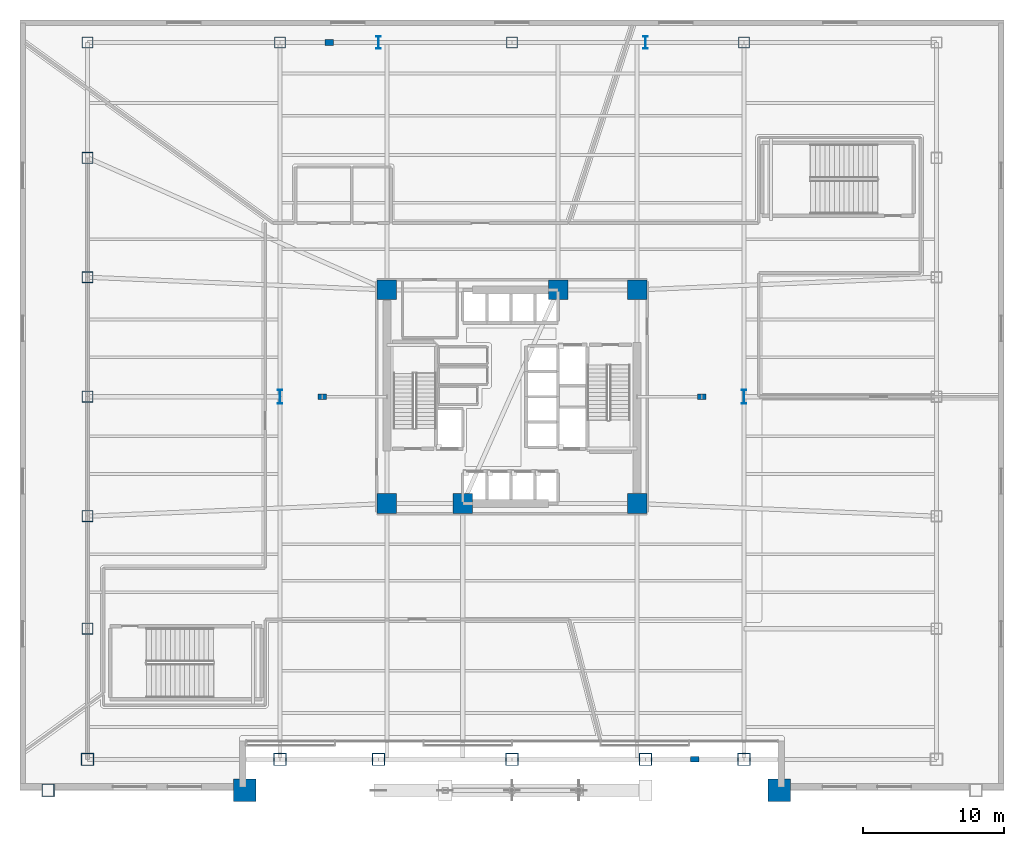
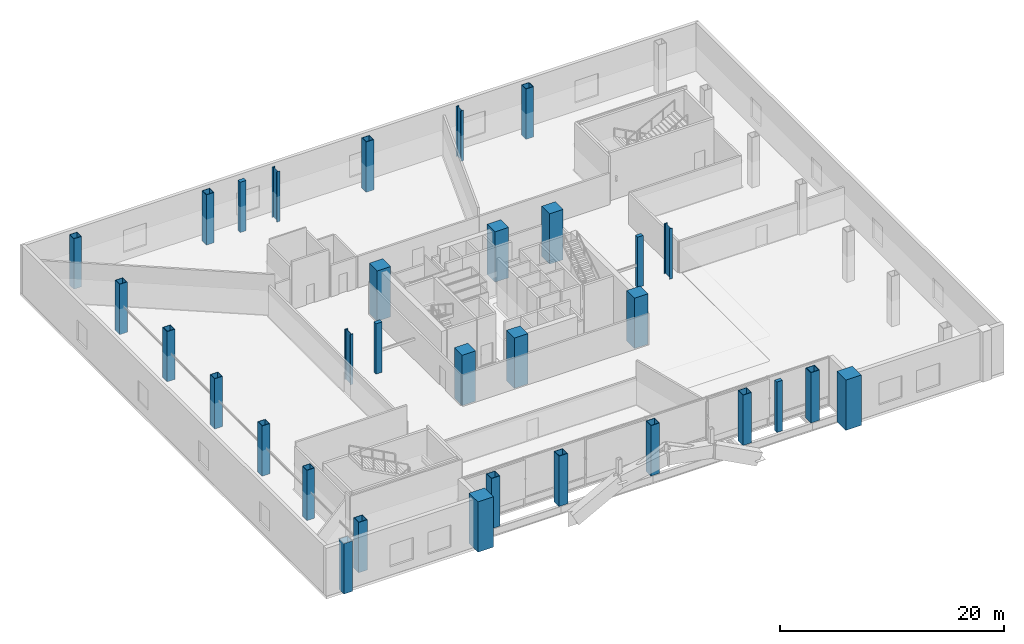
# One storey, part 1 of 19: 32 columns.
"""IFC4 building model written with IfcOpenShell, lengths in metres."""

from ifc_helpers import new_model, si_unit, direction, frame, origin, origin_2d, place, context, subcontext, project, spatial, rectangle, hollow_rectangle, i_section, extrude, material, material_profile, profile_set, type_object, element, save


model = new_model("IFC4")

# Units and contexts
model_context = context("Model", 3, precision=1e-05, world=origin(), true_north=direction((0.0, 1.0)))
body_context = subcontext(model_context, "Body", "Model", "MODEL_VIEW")
ifc_project = project(units=[si_unit("LENGTHUNIT", "METRE"), si_unit("AREAUNIT", "SQUARE_METRE"), si_unit("VOLUMEUNIT", "CUBIC_METRE"), si_unit("PLANEANGLEUNIT", "RADIAN"), si_unit("MASSUNIT", "GRAM", prefix="KILO")], contexts=[model_context])

# Site, building, storey
site_placement = place(None, origin())
site = spatial("IfcSite", under=ifc_project, at=site_placement, CompositionType="ELEMENT")
building_placement = place(site_placement, origin())
building = spatial("IfcBuilding", under=site, at=building_placement, Name="Tharavind Bronze Gate", CompositionType="ELEMENT")
storey_placement = place(building_placement, frame((0.0, 0.0, 11.0)))
storey = spatial("IfcBuildingStorey", under=building, at=storey_placement, Name="L02", CompositionType="ELEMENT", Elevation=11.0)

# Columns
ifc_material_1 = material(Name="Concrete C70/85", Category="concrete")
ifc_material_profile_1 = material_profile(ifc_material_1, rectangle(XDim=1.39990234375, YDim=1.39990234375, at=origin_2d()), Name="RCCOL1400")
ifc_profile_set_1 = profile_set([ifc_material_profile_1], Name="Concrete C70/85")
column_type_1 = type_object("IfcColumnType", Name="MEGA CORE COLUMN 1400", PredefinedType="COLUMN", material=ifc_profile_set_1)
for number, where, z_axis, x_axis, name in (
    (1, (-8.89990234375, -7.60009765625, 0.0), (0.0, 0.0, 1.0), (1.0, 0.0, 0.0), "L02 core mega column MC1"),
    (2, (-3.5, -7.60009765625, 0.0), (0.0, 0.0, 1.0), (1.0, 0.0, 0.0), "L02 core mega column MC2"),
    (3, (8.89990234375, -7.60009765625, 0.0), (0.0, 0.0, 1.0), (1.0, 0.0, 0.0), "L02 core mega column MC3"),
    (4, (8.89990234375, 7.60009765625, 0.0), (0.0, 0.0, 1.0), (1.0, 0.0, 0.0), "L02 core mega column MC4"),
    (5, (3.280029296875, 7.60009765625, 0.0), (0.0, 0.0, 1.0), (1.0, 0.0, 0.0), "L02 core mega column MC5"),
    (6, (-8.89990234375, 7.60009765625, 0.0), (0.0, 0.0, 1.0), (1.0, 0.0, 0.0), "L02 core mega column MC6"),
):
    element("IfcColumn", number, at=place(storey_placement, frame(where, z_axis=z_axis, x_axis=x_axis)), inside=storey, type_object=column_type_1, Name=name, PredefinedType="COLUMN", context=body_context, shape_type="SweptSolid", body=[
        extrude(rectangle(XDim=1.39990234375, YDim=1.39990234375, at=origin_2d()), origin(), (0.0, 0.0, 1.0), 5.5),
    ])
ifc_material_profile_2 = material_profile(ifc_material_1, rectangle(XDim=1.60009765625, YDim=1.60009765625, at=origin_2d()), Name="RCCOL1600")
ifc_profile_set_2 = profile_set([ifc_material_profile_2], Name="Concrete C70/85")
column_type_2 = type_object("IfcColumnType", Name="MEGA CORE COLUMN 1600", PredefinedType="COLUMN", material=ifc_profile_set_2)
for number, where, z_axis, x_axis, name in (
    (7, (-19.0, -28.0, 0.0), (0.0, 0.0, 1.0), (1.0, 0.0, 0.0), "L02 podium column ARCHW"),
    (8, (19.0, -28.0, 0.0), (0.0, 0.0, 1.0), (1.0, 0.0, 0.0), "L02 podium column ARCHE"),
):
    element("IfcColumn", number, at=place(storey_placement, frame(where, z_axis=z_axis, x_axis=x_axis)), inside=storey, type_object=column_type_2, Name=name, PredefinedType="COLUMN", context=body_context, shape_type="SweptSolid", body=[
        extrude(rectangle(XDim=1.60009765625, YDim=1.60009765625, at=origin_2d()), origin(), (0.0, 0.0, 1.0), 5.5),
    ])
ifc_material_2 = material(Name="Steel S460", Category="steel")
ifc_material_profile_3 = material_profile(ifc_material_2, hollow_rectangle(XDim=0.800048828125, YDim=0.800048828125, WallThickness=0.044921875, at=origin_2d()), Name="SHS800X45")
ifc_profile_set_3 = profile_set([ifc_material_profile_3], Name="Steel S460")
column_type_3 = type_object("IfcColumnType", Name="PERIMETER BOX COLUMN SHS800", PredefinedType="COLUMN", material=ifc_profile_set_3)
for number, where, z_axis, x_axis, name in (
    (9, (-30.199951171875, 25.199951171875, 0.0), (0.0, 0.0, 1.0), (1.0, 0.0, 0.0), "L02 podium column PN10"),
    (10, (-16.5, 25.199951171875, 0.0), (0.0, 0.0, 1.0), (1.0, 0.0, 0.0), "L02 podium column PN24"),
    (11, (0.0, 25.199951171875, 0.0), (0.0, 0.0, 1.0), (1.0, 0.0, 0.0), "L02 podium column PN40"),
    (12, (16.5, 25.199951171875, 0.0), (0.0, 0.0, 1.0), (1.0, 0.0, 0.0), "L02 podium column PN56"),
    (13, (-30.199951171875, -16.5, 0.0), (0.0, 0.0, 1.0), (1.0, 0.0, 0.0), "L02 podium column PW14"),
    (14, (-30.199951171875, -8.5, 0.0), (0.0, 0.0, 1.0), (1.0, 0.0, 0.0), "L02 podium column PW22"),
    (15, (-30.199951171875, 0.0, 0.0), (0.0, 0.0, 1.0), (1.0, 0.0, 0.0), "L02 podium column PW30"),
    (16, (-30.199951171875, 8.5, 0.0), (0.0, 0.0, 1.0), (1.0, 0.0, 0.0), "L02 podium column PW38"),
    (17, (-30.199951171875, 17.0, 0.0), (0.0, 0.0, 1.0), (1.0, 0.0, 0.0), "L02 podium column PW47"),
):
    element("IfcColumn", number, at=place(storey_placement, frame(where, z_axis=z_axis, x_axis=x_axis)), inside=storey, type_object=column_type_3, Name=name, PredefinedType="COLUMN", context=body_context, shape_type="SweptSolid", body=[
        extrude(hollow_rectangle(XDim=0.800048828125, YDim=0.800048828125, WallThickness=0.044921875, at=origin_2d()), origin(), (0.0, 0.0, 1.0), 5.5),
    ])
ifc_material_profile_4 = material_profile(ifc_material_2, hollow_rectangle(XDim=0.89990234375, YDim=0.89990234375, WallThickness=0.050048828125, at=origin_2d()), Name="SHS900X50")
ifc_profile_set_4 = profile_set([ifc_material_profile_4], Name="Steel S460")
column_type_4 = type_object("IfcColumnType", Name="PERIMETER BOX COLUMN SHS900", PredefinedType="COLUMN", material=ifc_profile_set_4)
for number, where, z_axis, x_axis, name in (
    (18, (-30.199951171875, -25.800048828125, 0.0), (0.0, 0.0, 1.0), (1.0, 0.0, 0.0), "L02 podium column PS10"),
    (19, (-16.5, -25.800048828125, 0.0), (0.0, 0.0, 1.0), (1.0, 0.0, 0.0), "L02 podium column PS24"),
    (20, (-9.5, -25.800048828125, 0.0), (0.0, 0.0, 1.0), (1.0, 0.0, 0.0), "L02 podium column PS30"),
    (21, (0.0, -25.800048828125, 0.0), (0.0, 0.0, 1.0), (1.0, 0.0, 0.0), "L02 podium column PS40"),
    (22, (9.5, -25.800048828125, 0.0), (0.0, 0.0, 1.0), (1.0, 0.0, 0.0), "L02 podium column PS50"),
    (23, (16.5, -25.800048828125, 0.0), (0.0, 0.0, 1.0), (1.0, 0.0, 0.0), "L02 podium column PS56"),
    (24, (-33.0, -28.0, 0.0), (0.0, 0.0, 1.0), (1.0, 0.0, 0.0), "L02 podium column CRNS1"),
):
    element("IfcColumn", number, at=place(storey_placement, frame(where, z_axis=z_axis, x_axis=x_axis)), inside=storey, type_object=column_type_4, Name=name, PredefinedType="COLUMN", context=body_context, shape_type="SweptSolid", body=[
        extrude(hollow_rectangle(XDim=0.89990234375, YDim=0.89990234375, WallThickness=0.050048828125, at=origin_2d()), origin(), (0.0, 0.0, 1.0), 5.5),
    ])
ifc_material_3 = material(Name="Concrete C60/75", Category="concrete")
ifc_material_profile_5 = material_profile(ifc_material_3, rectangle(XDim=0.60009765625, YDim=0.39990234375, at=origin_2d()), Name="RCPIL600X400")
ifc_profile_set_5 = profile_set([ifc_material_profile_5], Name="Concrete C60/75")
column_type_5 = type_object("IfcColumnType", Name="PILASTER COLUMN 600X400", PredefinedType="PILASTER", material=ifc_profile_set_5)
for number, where, z_axis, x_axis, name in (
    (25, (-13.5, 0.0, 0.0), (0.0, 0.0, 1.0), (1.0, 0.0, 0.0), "L02 structural pilaster PILW"),
    (26, (13.5, 0.0, 0.0), (0.0, 0.0, 1.0), (1.0, 0.0, 0.0), "L02 structural pilaster PILE"),
    (27, (-13.0, 25.199951171875, 0.0), (0.0, 0.0, 1.0), (1.0, 0.0, 0.0), "L02 structural pilaster PILN"),
    (28, (13.0, -25.800048828125, 0.0), (0.0, 0.0, 1.0), (1.0, 0.0, 0.0), "L02 structural pilaster PILS"),
):
    element("IfcColumn", number, at=place(storey_placement, frame(where, z_axis=z_axis, x_axis=x_axis)), inside=storey, type_object=column_type_5, Name=name, PredefinedType="PILASTER", context=body_context, shape_type="SweptSolid", body=[
        extrude(rectangle(XDim=0.60009765625, YDim=0.39990234375, at=origin_2d()), origin(), (0.0, 0.0, 1.0), 5.5),
    ])
ifc_material_profile_6 = material_profile(ifc_material_2, i_section(OverallWidth=0.302001953125, OverallDepth=1.008056640625, WebThickness=0.02099609375, FlangeThickness=0.0400390625, at=origin_2d()), Name="HE1000M")
ifc_profile_set_6 = profile_set([ifc_material_profile_6], Name="Steel S460")
column_type_6 = type_object("IfcColumnType", Name="PODIUM HALL COLUMN HE1000M", PredefinedType="COLUMN", material=ifc_profile_set_6)
for number, where, z_axis, x_axis, name in (
    (29, (-16.5, 0.0, 0.0), (0.0, 0.0, 1.0), (1.0, 0.0, 0.0), "L02 podium column PMW0"),
    (30, (16.5, 0.0, 0.0), (0.0, 0.0, 1.0), (1.0, 0.0, 0.0), "L02 podium column PME0"),
):
    element("IfcColumn", number, at=place(storey_placement, frame(where, z_axis=z_axis, x_axis=x_axis)), inside=storey, type_object=column_type_6, Name=name, PredefinedType="COLUMN", context=body_context, shape_type="SweptSolid", body=[
        extrude(i_section(OverallWidth=0.302001953125, OverallDepth=1.008056640625, WebThickness=0.02099609375, FlangeThickness=0.0400390625, at=origin_2d()), origin(), (0.0, 0.0, 1.0), 5.5),
    ])
ifc_material_profile_7 = material_profile(ifc_material_2, i_section(OverallWidth=0.300048828125, OverallDepth=0.89990234375, WebThickness=0.0185546875, FlangeThickness=0.034912109375, at=origin_2d()), Name="HE900B")
ifc_profile_set_7 = profile_set([ifc_material_profile_7], Name="Steel S460")
column_type_7 = type_object("IfcColumnType", Name="PODIUM HALL COLUMN HE900B", PredefinedType="COLUMN", material=ifc_profile_set_7)
for number, where, z_axis, x_axis, name in (
    (31, (-9.5, 25.199951171875, 0.0), (0.0, 0.0, 1.0), (1.0, 0.0, 0.0), "L02 podium column PN30"),
    (32, (9.5, 25.199951171875, 0.0), (0.0, 0.0, 1.0), (1.0, 0.0, 0.0), "L02 podium column PN50"),
):
    element("IfcColumn", number, at=place(storey_placement, frame(where, z_axis=z_axis, x_axis=x_axis)), inside=storey, type_object=column_type_7, Name=name, PredefinedType="COLUMN", context=body_context, shape_type="SweptSolid", body=[
        extrude(i_section(OverallWidth=0.300048828125, OverallDepth=0.89990234375, WebThickness=0.0185546875, FlangeThickness=0.034912109375, at=origin_2d()), origin(), (0.0, 0.0, 1.0), 5.5),
    ])

save(model, "model.ifc")
